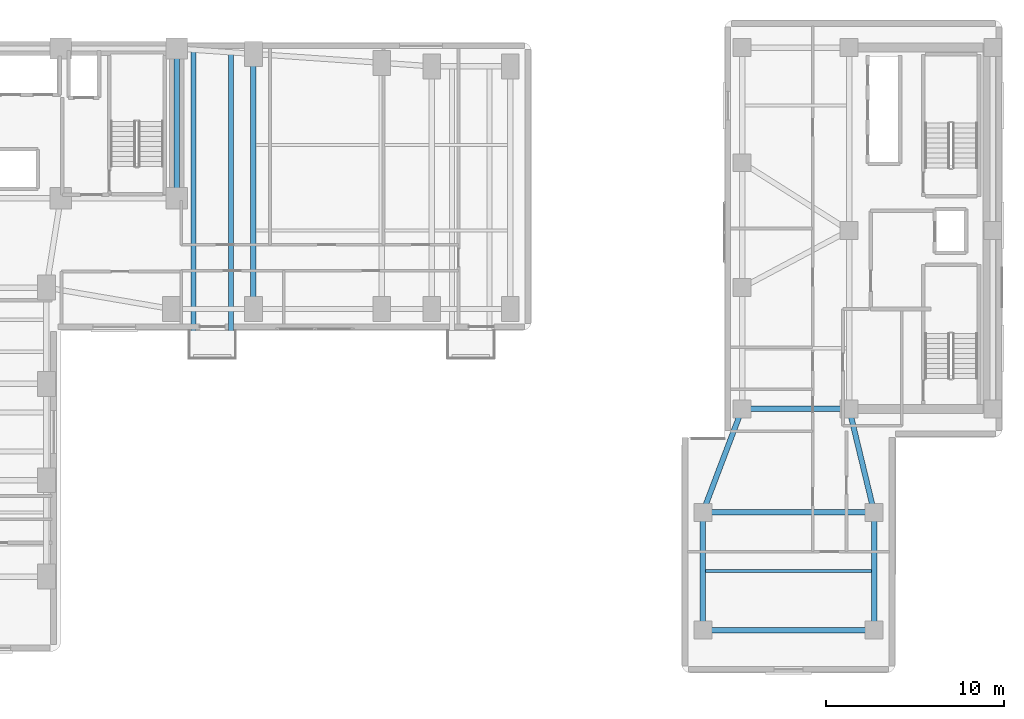
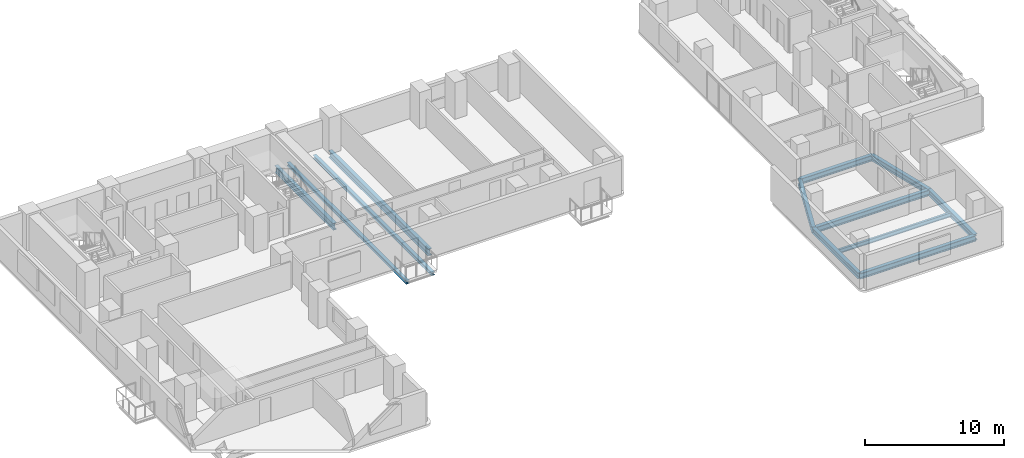
# One storey, part 5 of 17: 12 beams.
"""IFC4 building model written with IfcOpenShell, lengths in metres."""

from ifc_helpers import new_model, si_unit, direction, frame, origin, origin_2d, place, context, subcontext, project, spatial, i_section, extrude, material, material_profile, profile_set, type_object, element, save


model = new_model("IFC4")

# Units and contexts
model_context = context("Model", 3, precision=1e-05, world=origin(), true_north=direction((0.0, 1.0)))
body_context = subcontext(model_context, "Body", "Model", "MODEL_VIEW")
ifc_project = project(units=[si_unit("LENGTHUNIT", "METRE"), si_unit("AREAUNIT", "SQUARE_METRE"), si_unit("VOLUMEUNIT", "CUBIC_METRE"), si_unit("PLANEANGLEUNIT", "RADIAN"), si_unit("MASSUNIT", "GRAM", prefix="KILO")], contexts=[model_context])

# Site, building, storey
site_placement = place(None, origin())
site = spatial("IfcSite", under=ifc_project, at=site_placement, CompositionType="ELEMENT")
building_placement = place(site_placement, origin())
building = spatial("IfcBuilding", under=site, at=building_placement, Name="Kuzgunbayir Cultural Tower", CompositionType="ELEMENT")
storey_placement = place(building_placement, frame((0.0, 0.0, 46.800048828125)))
storey = spatial("IfcBuildingStorey", under=building, at=storey_placement, Name="L12", CompositionType="ELEMENT", Elevation=46.800048828125)

# Beams
ifc_material = material(Name="Steel S355J2", Category="steel")
ifc_material_profile_1 = material_profile(ifc_material, i_section(OverallWidth=0.280029296875, OverallDepth=0.280029296875, WebThickness=0.010498046875, FlangeThickness=0.01806640625, FilletRadius=0.02392578125, at=origin_2d()), Name="HEB 280")
ifc_profile_set_1 = profile_set([ifc_material_profile_1], Name="Steel S355J2")
beam_type_1 = type_object("IfcBeamType", Name="BM-BAL-HEB280", PredefinedType="BEAM", material=ifc_profile_set_1)
beam_1_placement = place(storey_placement, frame((27.85009765625, 24.9599609375, -0.340087890625), z_axis=(0.0, 1.0, 0.0), x_axis=(-1.0, 0.0, 0.0)))
element("IfcBeam", 1, at=beam_1_placement, inside=storey, type_object=beam_type_1, Name="L12 Balcony Outrigger Beam BAL-L12-WB1.1", PredefinedType="BEAM", context=body_context, shape_type="SweptSolid", body=[
    extrude(i_section(OverallWidth=0.280029296875, OverallDepth=0.280029296875, WebThickness=0.010498046875, FlangeThickness=0.01806640625, FilletRadius=0.02392578125, at=origin_2d()), origin(), (0.0, 0.0, 1.0), 17.169921875),
])
beam_2_placement = place(storey_placement, frame((29.949951171875, 24.9599609375, -0.340087890625), z_axis=(0.0, 1.0, 0.0), x_axis=(-1.0, 0.0, 0.0)))
element("IfcBeam", 2, at=beam_2_placement, inside=storey, type_object=beam_type_1, Name="L12 Balcony Outrigger Beam BAL-L12-WB1.2", PredefinedType="BEAM", context=body_context, shape_type="SweptSolid", body=[
    extrude(i_section(OverallWidth=0.280029296875, OverallDepth=0.280029296875, WebThickness=0.010498046875, FlangeThickness=0.01806640625, FilletRadius=0.02392578125, at=origin_2d()), origin(), (0.0, 0.0, 1.0), 17.030029296875),
])
ifc_material_profile_2 = material_profile(ifc_material, i_section(OverallWidth=0.300048828125, OverallDepth=0.5, WebThickness=0.014404296875, FlangeThickness=0.028076171875, FilletRadius=0.027099609375, at=origin_2d()), Name="HEB 500")
ifc_profile_set_2 = profile_set([ifc_material_profile_2], Name="Steel S355J2")
beam_type_2 = type_object("IfcBeamType", Name="BM-EXT-HEB500", PredefinedType="BEAM", material=ifc_profile_set_2)
beam_3_placement = place(storey_placement, frame((56.39990234375, 9.60009765625, -0.429931640625), z_axis=(0.0, 1.0, 0.0), x_axis=(-1.0, 0.0, 0.0)))
element("IfcBeam", 3, at=beam_3_placement, inside=storey, type_object=beam_type_2, Name="L12 Companion Wing B West Girder", PredefinedType="BEAM", context=body_context, shape_type="SweptSolid", body=[
    extrude(i_section(OverallWidth=0.300048828125, OverallDepth=0.5, WebThickness=0.014404296875, FlangeThickness=0.028076171875, FilletRadius=0.027099609375, at=origin_2d()), origin(), (0.0, 0.0, 1.0), 6.599853515625),
])
beam_4_placement = place(storey_placement, frame((56.39990234375, 16.199951171875, -0.429931640625), z_axis=(0.354679148754, 0.93498807556, 0.0), x_axis=(-0.93498807556, 0.354679148754, 0.0)))
element("IfcBeam", 4, at=beam_4_placement, inside=storey, type_object=beam_type_2, Name="L12 Companion Wing B Floor Girder W", PredefinedType="BEAM", context=body_context, shape_type="SweptSolid", body=[
    extrude(i_section(OverallWidth=0.300048828125, OverallDepth=0.5, WebThickness=0.014404296875, FlangeThickness=0.028076171875, FilletRadius=0.027099609375, at=origin_2d()), origin(), (0.0, 0.0, 1.0), 6.203369140625),
])
beam_5_placement = place(storey_placement, frame((66.0, 9.60009765625, -0.429931640625), z_axis=(0.0, 1.0, 0.0), x_axis=(-1.0, 0.0, 0.0)))
element("IfcBeam", 5, at=beam_5_placement, inside=storey, type_object=beam_type_2, Name="L12 Companion Wing B East Girder", PredefinedType="BEAM", context=body_context, shape_type="SweptSolid", body=[
    extrude(i_section(OverallWidth=0.300048828125, OverallDepth=0.5, WebThickness=0.014404296875, FlangeThickness=0.028076171875, FilletRadius=0.027099609375, at=origin_2d()), origin(), (0.0, 0.0, 1.0), 6.599853515625),
])
beam_6_placement = place(storey_placement, frame((66.0, 16.199951171875, -0.429931640625), z_axis=(-0.234623200431, 0.972086392158, 0.0), x_axis=(-0.972086392158, -0.234623200431, 0.0)))
element("IfcBeam", 6, at=beam_6_placement, inside=storey, type_object=beam_type_2, Name="L12 Companion Wing B Floor Girder E", PredefinedType="BEAM", context=body_context, shape_type="SweptSolid", body=[
    extrude(i_section(OverallWidth=0.300048828125, OverallDepth=0.5, WebThickness=0.014404296875, FlangeThickness=0.028076171875, FilletRadius=0.027099609375, at=origin_2d()), origin(), (0.0, 0.0, 1.0), 5.966552734375),
])
beam_7_placement = place(storey_placement, frame((56.39990234375, 9.60009765625, -0.429931640625), z_axis=(1.0, 0.0, 0.0), x_axis=(0.0, 1.0, 0.0)))
element("IfcBeam", 7, at=beam_7_placement, inside=storey, type_object=beam_type_2, Name="L12 Companion Wing B South Girder", PredefinedType="BEAM", context=body_context, shape_type="SweptSolid", body=[
    extrude(i_section(OverallWidth=0.300048828125, OverallDepth=0.5, WebThickness=0.014404296875, FlangeThickness=0.028076171875, FilletRadius=0.027099609375, at=origin_2d()), origin(), (0.0, 0.0, 1.0), 9.60009765625),
])
ifc_material_profile_3 = material_profile(ifc_material, i_section(OverallWidth=0.300048828125, OverallDepth=0.5, WebThickness=0.014404296875, FlangeThickness=0.028076171875, FilletRadius=0.027099609375, at=origin_2d()), Name="HEB 500")
ifc_profile_set_3 = profile_set([ifc_material_profile_3], Name="Steel S355J2")
beam_type_3 = type_object("IfcBeamType", Name="BM-GIR-HEB500", PredefinedType="BEAM", material=ifc_profile_set_3)
beam_8_placement = place(storey_placement, frame((58.60009765625, 22.0, -0.429931640625), z_axis=(1.0, 0.0, 0.0), x_axis=(0.0, 1.0, 0.0)))
element("IfcBeam", 8, at=beam_8_placement, inside=storey, type_object=beam_type_3, Name="L12 Companion Transverse Girder 1", PredefinedType="BEAM", context=body_context, shape_type="SweptSolid", body=[
    extrude(i_section(OverallWidth=0.300048828125, OverallDepth=0.5, WebThickness=0.014404296875, FlangeThickness=0.028076171875, FilletRadius=0.027099609375, at=origin_2d()), origin(), (0.0, 0.0, 1.0), 6.0),
])
beam_9_placement = place(storey_placement, frame((56.39990234375, 16.199951171875, -0.429931640625), z_axis=(1.0, 0.0, 0.0), x_axis=(0.0, 1.0, 0.0)))
element("IfcBeam", 9, at=beam_9_placement, inside=storey, type_object=beam_type_3, Name="L12 Companion Wing B Mid Girder", PredefinedType="BEAM", context=body_context, shape_type="SweptSolid", body=[
    extrude(i_section(OverallWidth=0.300048828125, OverallDepth=0.5, WebThickness=0.014404296875, FlangeThickness=0.028076171875, FilletRadius=0.027099609375, at=origin_2d()), origin(), (0.0, 0.0, 1.0), 9.60009765625),
])
ifc_material_profile_4 = material_profile(ifc_material, i_section(OverallWidth=0.300048828125, OverallDepth=0.60009765625, WebThickness=0.015380859375, FlangeThickness=0.030029296875, FilletRadius=0.027099609375, at=origin_2d()), Name="HEB 600")
ifc_profile_set_4 = profile_set([ifc_material_profile_4], Name="Steel S355J2")
beam_type_4 = type_object("IfcBeamType", Name="BM-GIR-HEB600", PredefinedType="BEAM", material=ifc_profile_set_4)
beam_10_placement = place(storey_placement, frame((26.89990234375, 33.800048828125, -0.47998046875), z_axis=(0.0, 1.0, 0.0), x_axis=(-1.0, 0.0, 0.0)))
element("IfcBeam", 10, at=beam_10_placement, inside=storey, type_object=beam_type_4, Name="L12 Core East Edge Girder", PredefinedType="BEAM", context=body_context, shape_type="SweptSolid", body=[
    extrude(i_section(OverallWidth=0.300048828125, OverallDepth=0.60009765625, WebThickness=0.015380859375, FlangeThickness=0.030029296875, FilletRadius=0.027099609375, at=origin_2d()), origin(), (0.0, 0.0, 1.0), 8.39990234375),
])
beam_11_placement = place(storey_placement, frame((31.199951171875, 27.60009765625, -0.47998046875), z_axis=(0.0, 1.0, 0.0), x_axis=(-1.0, 0.0, 0.0)))
element("IfcBeam", 11, at=beam_11_placement, inside=storey, type_object=beam_type_4, Name="L12 Wing B Cross Girder 31", PredefinedType="BEAM", context=body_context, shape_type="SweptSolid", body=[
    extrude(i_section(OverallWidth=0.300048828125, OverallDepth=0.60009765625, WebThickness=0.015380859375, FlangeThickness=0.030029296875, FilletRadius=0.027099609375, at=origin_2d()), origin(), (0.0, 0.0, 1.0), 14.2998046875),
])
ifc_material_profile_5 = material_profile(ifc_material, i_section(OverallWidth=0.169921875, OverallDepth=0.360107421875, WebThickness=0.008056640625, FlangeThickness=0.0126953125, FilletRadius=0.01806640625, at=origin_2d()), Name="IPE 360")
ifc_profile_set_5 = profile_set([ifc_material_profile_5], Name="Steel S355J2")
beam_type_5 = type_object("IfcBeamType", Name="BM-JST-IPE360", PredefinedType="JOIST", material=ifc_profile_set_5)
beam_12_placement = place(storey_placement, frame((56.550048828125, 12.89990234375, -0.360107421875), z_axis=(1.0, 0.0, 0.0), x_axis=(0.0, 1.0, 0.0)))
element("IfcBeam", 12, at=beam_12_placement, inside=storey, type_object=beam_type_5, Name="L12 Companion Wing B Joist", PredefinedType="JOIST", context=body_context, shape_type="SweptSolid", body=[
    extrude(i_section(OverallWidth=0.169921875, OverallDepth=0.360107421875, WebThickness=0.008056640625, FlangeThickness=0.0126953125, FilletRadius=0.01806640625, at=origin_2d()), origin(), (0.0, 0.0, 1.0), 9.300048828125),
])

save(model, "model.ifc")
